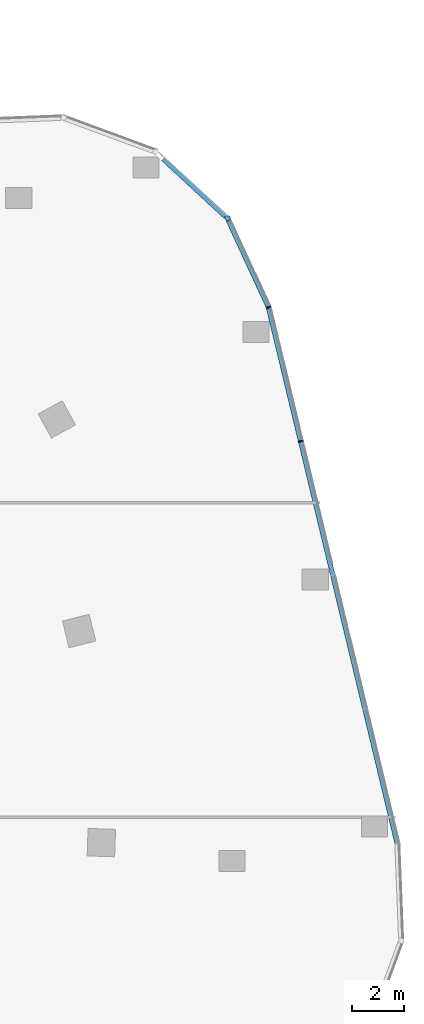
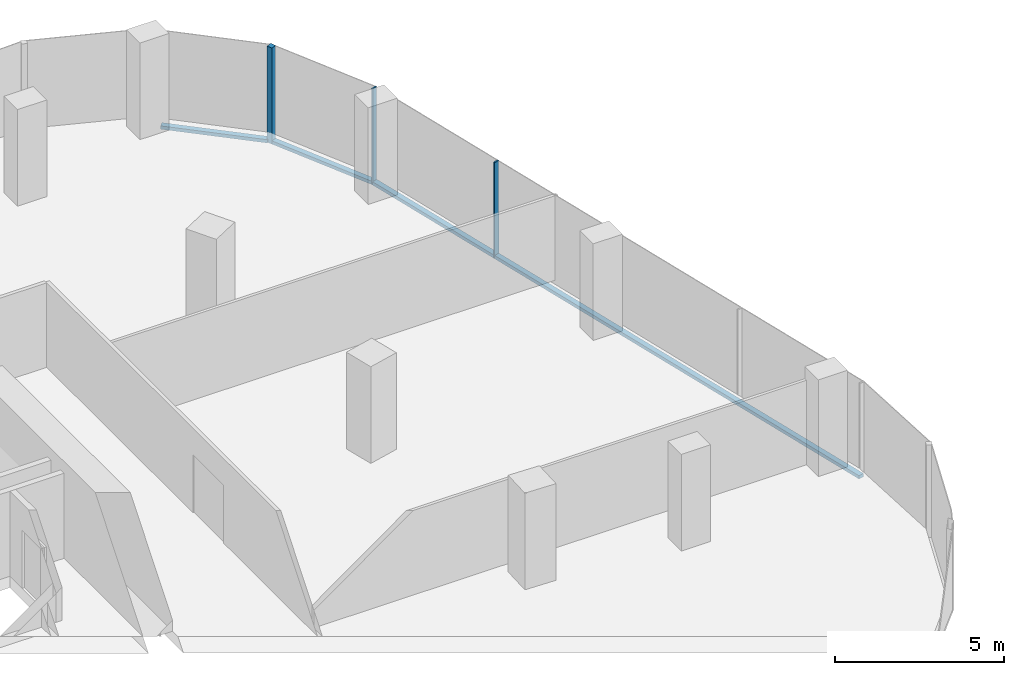
# One storey, part 13 of 26: 6 members, 3 elements without a shape of their own.
"""IFC4 building model written with IfcOpenShell, lengths in metres."""

import ifcopenshell
import ifcopenshell.guid

model = None  # the IFC model being written
_history = None  # IfcOwnerHistory: only IFC2X3 demands one
_inside = {}  # id of a spatial element -> (the spatial element, [elements in it])
_under = {}  # id of a project, library or spatial element -> (it, [spatial elements below it])
_declared = {}  # id of a project -> (the project, [libraries it declares])
_typed = {}  # id of a type object -> (the type object, [elements of that type])
_made_of = {}  # id of a material, layer set ... -> (it, [elements and type objects made of it])


def new_model(schema):
    """Start an empty IFC model of exactly this schema.

    Asked for "IFC4X3", IfcOpenShell would pick the latest addendum, in which some entities
    have other attributes; the version numbers below select the first issue.
    IFC2X3 requires an IfcOwnerHistory on every rooted entity: one is made here for all.
    """
    global model, _history
    if schema == "IFC4X3":
        model = ifcopenshell.file(schema_version=(4, 3, 0, 0))
    else:
        model = ifcopenshell.file(schema=schema)
    _inside.clear()
    _under.clear()
    _declared.clear()
    _typed.clear()
    _made_of.clear()
    _history = None
    if model.schema == "IFC2X3":
        org = make("IfcOrganization", Name="unknown")
        user = make(
            "IfcPersonAndOrganization",
            ThePerson=make("IfcPerson", FamilyName="unknown"),
            TheOrganization=org,
        )
        app = make(
            "IfcApplication",
            ApplicationDeveloper=org,
            Version="unknown",
            ApplicationFullName="unknown",
            ApplicationIdentifier="unknown",
        )
        _history = make(
            "IfcOwnerHistory",
            OwningUser=user,
            OwningApplication=app,
            ChangeAction="ADDED",
            CreationDate=0,
        )
    return model


def make(cls, **values):
    """One entity of the class cls with the attributes given. An attribute that is None is left unset."""
    return model.create_entity(
        cls, **{name: value for name, value in values.items() if value is not None}
    )


def rooted(cls, **values):
    """An entity with a GlobalId (a new one), such as an element, a storey or a relation."""
    return make(cls, GlobalId=ifcopenshell.guid.new(), OwnerHistory=_history, **values)


def si_unit(unit_type, name, prefix=None):
    """IfcSIUnit, for example si_unit("LENGTHUNIT", "METRE", prefix="MILLI")."""
    return make("IfcSIUnit", UnitType=unit_type, Prefix=prefix, Name=name)


def assignment(units):
    """IfcUnitAssignment: the units of a project."""
    return None if units is None else make("IfcUnitAssignment", Units=units)


def point(xyz):
    """IfcCartesianPoint."""
    return None if xyz is None else make("IfcCartesianPoint", Coordinates=xyz)


def direction(xyz):
    """IfcDirection."""
    return None if xyz is None else make("IfcDirection", DirectionRatios=xyz)


def frame(location, z_axis=None, x_axis=None):
    """IfcAxis2Placement3D, a coordinate frame: its origin and axes. An axis left out is left unset."""
    return make(
        "IfcAxis2Placement3D",
        Location=point(location),
        Axis=direction(z_axis),
        RefDirection=direction(x_axis),
    )


def frame_2d(location, x_axis=None):
    """IfcAxis2Placement2D, a coordinate frame in the plane: its origin and x axis."""
    return make(
        "IfcAxis2Placement2D", Location=point(location), RefDirection=direction(x_axis)
    )


def origin():
    """The frame at (0, 0, 0) with its axes left unset."""
    return frame((0.0, 0.0, 0.0))


def origin_2d():
    """The frame at (0, 0) in the plane with its x axis left unset."""
    return frame_2d((0.0, 0.0))


def place(relative_to, where):
    """IfcLocalPlacement: puts the frame where relative to a parent placement (None: the world)."""
    return make(
        "IfcLocalPlacement", PlacementRelTo=relative_to, RelativePlacement=where
    )


def context(
    kind, dimensions, precision=None, world=None, true_north=None, identifier=None
):
    """IfcGeometricRepresentationContext, for example the 3D "Model" context."""
    return make(
        "IfcGeometricRepresentationContext",
        ContextIdentifier=identifier,
        ContextType=kind,
        CoordinateSpaceDimension=dimensions,
        Precision=precision,
        WorldCoordinateSystem=world,
        TrueNorth=true_north,
    )


def subcontext(parent, identifier, kind, view, scale=None):
    """IfcGeometricRepresentationSubContext, for example "Body" below "Model"."""
    return make(
        "IfcGeometricRepresentationSubContext",
        ContextIdentifier=identifier,
        ContextType=kind,
        ParentContext=parent,
        TargetScale=scale,
        TargetView=view,
    )


def project(units=None, contexts=None):
    """IfcProject with its units and contexts."""
    return rooted(
        "IfcProject",
        Name="project",
        RepresentationContexts=contexts,
        UnitsInContext=assignment(units),
    )


def spatial(cls, under=None, at=None, **own):
    """A site, building, storey or space (cls), placed at a placement, below another one or the project."""
    s = rooted(cls, ObjectPlacement=at, **own)
    if under is not None:
        _under.setdefault(under.id(), (under, []))[1].append(s)
    return s


def profile(cls, at=None, kind="AREA", **sizes):
    """A parametric profile (cls). Its sizes go by their IFC names, for example OverallWidth=200.0."""
    return make(cls, ProfileType=kind, Position=at, **sizes)


def rectangle(**sizes):
    """IfcRectangleProfileDef."""
    return profile("IfcRectangleProfileDef", **sizes)


def extrude(swept, where, along, depth):
    """IfcExtrudedAreaSolid: the profile swept, set in the frame where, extruded along a direction by depth."""
    return make(
        "IfcExtrudedAreaSolid",
        SweptArea=swept,
        Position=where,
        ExtrudedDirection=direction(along),
        Depth=depth,
    )


def shape(context_of_items, identifier, shape_type, items):
    """IfcShapeRepresentation: the items that make up one representation, for example the "Body"."""
    return make(
        "IfcShapeRepresentation",
        ContextOfItems=context_of_items,
        RepresentationIdentifier=identifier,
        RepresentationType=shape_type,
        Items=items,
    )


def material(Name=None, Category=None):
    """IfcMaterial."""
    return make("IfcMaterial", Name=Name, Category=Category)


def material_profile(
    of_material, cross_section, Name=None, Category=None, Priority=None
):
    """IfcMaterialProfile: a cross section and its material."""
    return make(
        "IfcMaterialProfile",
        Name=Name,
        Material=of_material,
        Profile=cross_section,
        Priority=Priority,
        Category=Category,
    )


def profile_set(profiles, Name=None, composite=None):
    """IfcMaterialProfileSet."""
    return make(
        "IfcMaterialProfileSet",
        Name=Name,
        MaterialProfiles=profiles,
        CompositeProfile=composite,
    )


def made_of(thing, what):
    """Note that an element or type object is made of a material, layer set ...; save() writes the relation."""
    if what is not None:
        _made_of.setdefault(what.id(), (what, []))[1].append(thing)
    return thing


def type_object(cls, material=None, **own):
    """A type object (cls), such as IfcWallType, which elements share."""
    return made_of(rooted(cls, **own), material)


def element(
    cls,
    number,
    at=None,
    inside=None,
    cuts=None,
    type_object=None,
    material=None,
    context=None,
    identifier="Body",
    shape_type=None,
    held_by="IfcProductDefinitionShape",
    body=None,
    shapes=None,
    **own,
):
    """One element of the class cls, such as IfcWall. Its Tag is "e" and its number.

    at: its placement. inside: the storey or other place that contains it. cuts: it is an
    opening in that element (IfcRelVoidsElement). A single representation is given by context,
    identifier, shape_type and body (its items); several are given by shapes. held_by: the class
    of the entity that holds the representations. save() writes the other relations.
    """
    e = rooted(cls, Tag="e%d" % number, ObjectPlacement=at, **own)
    if body is not None:
        shapes = [shape(context, identifier, shape_type, body)]
    if shapes is not None:
        e.Representation = make(held_by, Representations=shapes)
    if inside is not None:
        _inside.setdefault(inside.id(), (inside, []))[1].append(e)
    if cuts is not None:
        rooted(
            "IfcRelVoidsElement", RelatingBuildingElement=cuts, RelatedOpeningElement=e
        )
    if type_object is not None:
        _typed.setdefault(type_object.id(), (type_object, []))[1].append(e)
    return made_of(e, material)


def aggregate(whole, parts):
    """IfcRelAggregates: a whole, such as a stair, and the parts it consists of."""
    return rooted("IfcRelAggregates", RelatingObject=whole, RelatedObjects=parts)


def save(model, path):
    """Write the relations noted so far, then the file.

    IfcRelAggregates (storeys below a building ...), IfcRelContainedInSpatialStructure (elements
    in a storey), IfcRelDefinesByType, IfcRelAssociatesMaterial and IfcRelDeclares: one each for
    every whole, place, type object, material and project.
    """
    for whole, parts in _under.values():
        aggregate(whole, parts)
    for where, things in _inside.values():
        rooted(
            "IfcRelContainedInSpatialStructure",
            RelatedElements=things,
            RelatingStructure=where,
        )
    for kind, things in _typed.values():
        rooted("IfcRelDefinesByType", RelatedObjects=things, RelatingType=kind)
    for what, things in _made_of.values():
        rooted("IfcRelAssociatesMaterial", RelatedObjects=things, RelatingMaterial=what)
    for by, libraries in _declared.values():
        rooted("IfcRelDeclares", RelatingContext=by, RelatedDefinitions=libraries)
    model.write(path)


model = new_model("IFC4")

# Units and contexts
model_context = context("Model", 3, precision=1e-05, world=origin(), true_north=direction((0.0, 1.0)))
body_context = subcontext(model_context, "Body", "Model", "MODEL_VIEW")
ifc_project = project(units=[si_unit("LENGTHUNIT", "METRE"), si_unit("AREAUNIT", "SQUARE_METRE"), si_unit("VOLUMEUNIT", "CUBIC_METRE"), si_unit("PLANEANGLEUNIT", "RADIAN"), si_unit("MASSUNIT", "GRAM", prefix="KILO")], contexts=[model_context])

# Site, building, storey
site_placement = place(None, origin())
site = spatial("IfcSite", under=ifc_project, at=site_placement, CompositionType="ELEMENT")
building_placement = place(site_placement, origin())
building = spatial("IfcBuilding", under=site, at=building_placement, Name="Orlundy Tower", CompositionType="ELEMENT")
storey_placement = place(building_placement, frame((0.0, 0.0, 214.0)))
storey = spatial("IfcBuildingStorey", under=building, at=storey_placement, Name="L56", CompositionType="ELEMENT", Elevation=214.0)

# Curtain wall, member
ifc_material_1 = material(Name="Aluminium bronze anodised", Category="aluminium")
curtain_wall_type = type_object("IfcCurtainWallType", Name="CW1 wall", PredefinedType="NOTDEFINED", material=ifc_material_1)
curtain_wall_1_placement = place(storey_placement, origin())
curtain_wall_1 = element("IfcCurtainWall", 1, at=curtain_wall_1_placement, inside=storey, type_object=curtain_wall_type, Name="CW1 run 010", PredefinedType="NOTDEFINED")
ifc_material_2 = material(Name="Aluminium bronze anodised", Category="aluminium")
ifc_material_profile_1 = material_profile(ifc_material_2, rectangle(XDim=0.179931640625, YDim=0.179931640625, at=origin_2d()), Name="CW1 corner post 180x180")
ifc_profile_set_1 = profile_set([ifc_material_profile_1], Name="Aluminium bronze anodised")
member_type_1 = type_object("IfcMemberType", Name="CW1 corner post 180x180", PredefinedType="MULLION", material=ifc_profile_set_1)
member_1_placement = place(storey_placement, frame((34.480224609375, 22.850830078125, -0.39990234375), z_axis=(0.0, 0.0, 1.0), x_axis=(0.908219817192, 0.418493445182, 0.0)))
member_1 = element("IfcMember", 2, at=member_1_placement, type_object=member_type_1, Name="CW1 mullion 31", PredefinedType="MULLION", context=body_context, shape_type="SweptSolid", body=[
    extrude(rectangle(XDim=0.179931640625, YDim=0.179931640625, at=origin_2d()), origin(), (0.0, 0.0, 1.0), 3.47998046875),
])

# Curtain wall, members
curtain_wall_2_placement = place(storey_placement, origin())
curtain_wall_2 = element("IfcCurtainWall", 3, at=curtain_wall_2_placement, inside=storey, type_object=curtain_wall_type, Name="CW1 run 011", PredefinedType="NOTDEFINED")
ifc_material_3 = material(Name="Aluminium bronze anodised", Category="aluminium")
ifc_material_profile_2 = material_profile(ifc_material_3, rectangle(XDim=0.179931640625, YDim=0.050048828125, at=origin_2d()), Name="CW1 mullion 50x180")
ifc_profile_set_2 = profile_set([ifc_material_profile_2], Name="Aluminium bronze anodised")
member_type_2 = type_object("IfcMemberType", Name="CW1 mullion 50x180", PredefinedType="MULLION", material=ifc_profile_set_2)
member_2_placement = place(storey_placement, frame((36.04248046875, 19.460693359375, -0.39990234375), z_axis=(0.0, 0.0, 1.0), x_axis=(0.944831550554, 0.327556622704, 0.0)))
member_2 = element("IfcMember", 4, at=member_2_placement, type_object=member_type_2, Name="CW1 mullion 32", PredefinedType="MULLION", context=body_context, shape_type="SweptSolid", body=[
    extrude(rectangle(XDim=0.179931640625, YDim=0.050048828125, at=origin_2d()), origin(), (0.0, 0.0, 1.0), 3.47998046875),
])
member_3_placement = place(storey_placement, frame((37.270263671875, 14.346923828125, -0.39990234375), z_axis=(0.0, 0.0, 1.0), x_axis=(0.972363523859, 0.233472005748, 0.0)))
member_3 = element("IfcMember", 5, at=member_3_placement, type_object=member_type_2, Name="CW1 mullion 33", PredefinedType="MULLION", context=body_context, shape_type="SweptSolid", body=[
    extrude(rectangle(XDim=0.179931640625, YDim=0.050048828125, at=origin_2d()), origin(), (0.0, 0.0, 1.0), 3.47998046875),
])

# Curtain wall, member
curtain_wall_3_placement = place(storey_placement, origin())
curtain_wall_3 = element("IfcCurtainWall", 6, at=curtain_wall_3_placement, inside=storey, type_object=curtain_wall_type, Name="CW1 run 09", PredefinedType="NOTDEFINED")
ifc_material_4 = material(Name="Aluminium bronze anodised", Category="aluminium")
ifc_material_profile_3 = material_profile(ifc_material_4, rectangle(XDim=0.179931640625, YDim=0.1201171875, at=origin_2d()), Name="CW1 transom 180x120")
ifc_profile_set_3 = profile_set([ifc_material_profile_3], Name="Aluminium bronze anodised")
member_type_3 = type_object("IfcMemberType", Name="CW1 transom 180x120", PredefinedType="USERDEFINED", material=ifc_profile_set_3)
member_4_placement = place(storey_placement, frame((32.02001953125, 25.125, -0.340087890625), z_axis=(0.734331359819, -0.678791171117, 0.0), x_axis=(0.678791171117, 0.734331359819, 0.0)))
member_4 = element("IfcMember", 7, at=member_4_placement, type_object=member_type_3, Name="CW1 transom", ObjectType="TRANSOM", PredefinedType="USERDEFINED", context=body_context, shape_type="SweptSolid", body=[
    extrude(rectangle(XDim=0.179931640625, YDim=0.1201171875, at=origin_2d()), origin(), (0.0, 0.0, 1.0), 3.2529296875),
])
aggregate(curtain_wall_3, [member_4])

# Member
member_5_placement = place(storey_placement, frame((34.517822265625, 22.769287109375, -0.340087890625), z_axis=(0.418510361894, -0.908212022045, 0.0), x_axis=(0.908212022045, 0.418510361894, 0.0)))
member_5 = element("IfcMember", 8, at=member_5_placement, type_object=member_type_3, Name="CW1 transom", ObjectType="TRANSOM", PredefinedType="USERDEFINED", context=body_context, shape_type="SweptSolid", body=[
    extrude(rectangle(XDim=0.179931640625, YDim=0.1201171875, at=origin_2d()), origin(), (0.0, 0.0, 1.0), 3.617919921875),
])

aggregate(curtain_wall_1, [member_1, member_5])

member_6_placement = place(storey_placement, frame((36.04833984375, 19.436279296875, -0.340087890625), z_axis=(0.233464990148, -0.972365208332, 0.0), x_axis=(0.972365208332, 0.233464990148, 0.0)))
member_6 = element("IfcMember", 9, at=member_6_placement, type_object=member_type_3, Name="CW1 transom", ObjectType="TRANSOM", PredefinedType="USERDEFINED", context=body_context, shape_type="SweptSolid", body=[
    extrude(rectangle(XDim=0.179931640625, YDim=0.1201171875, at=origin_2d()), origin(), (0.0, 0.0, 1.0), 20.9677734375),
])

aggregate(curtain_wall_2, [member_2, member_3, member_6])

save(model, "model.ifc")
